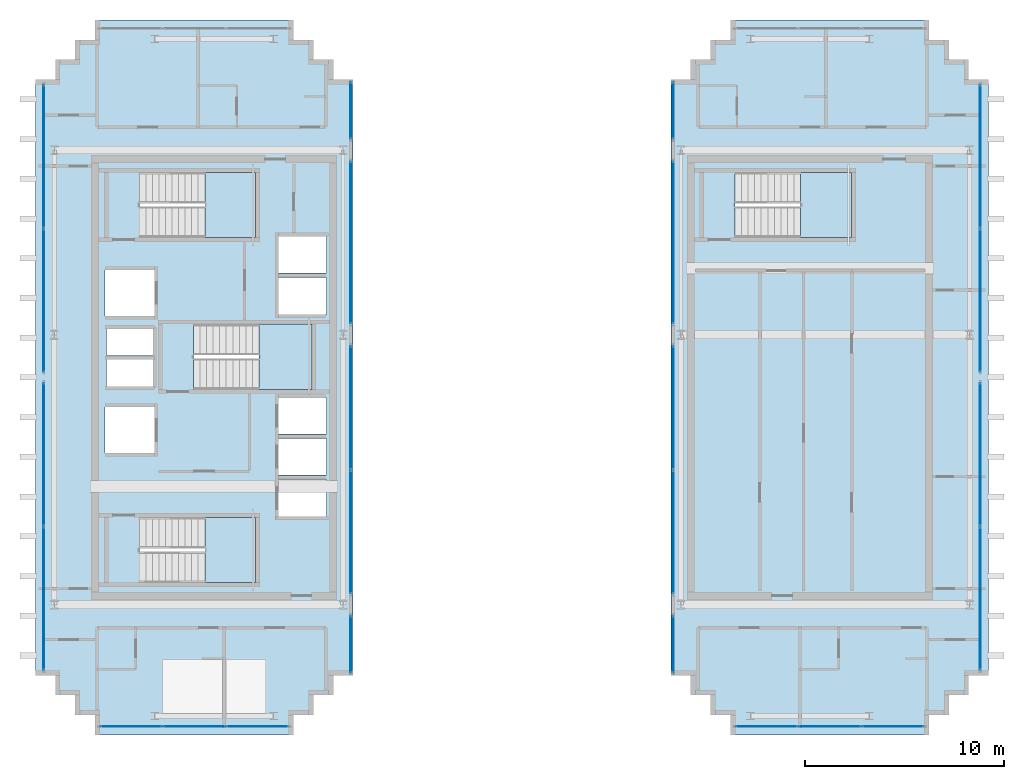
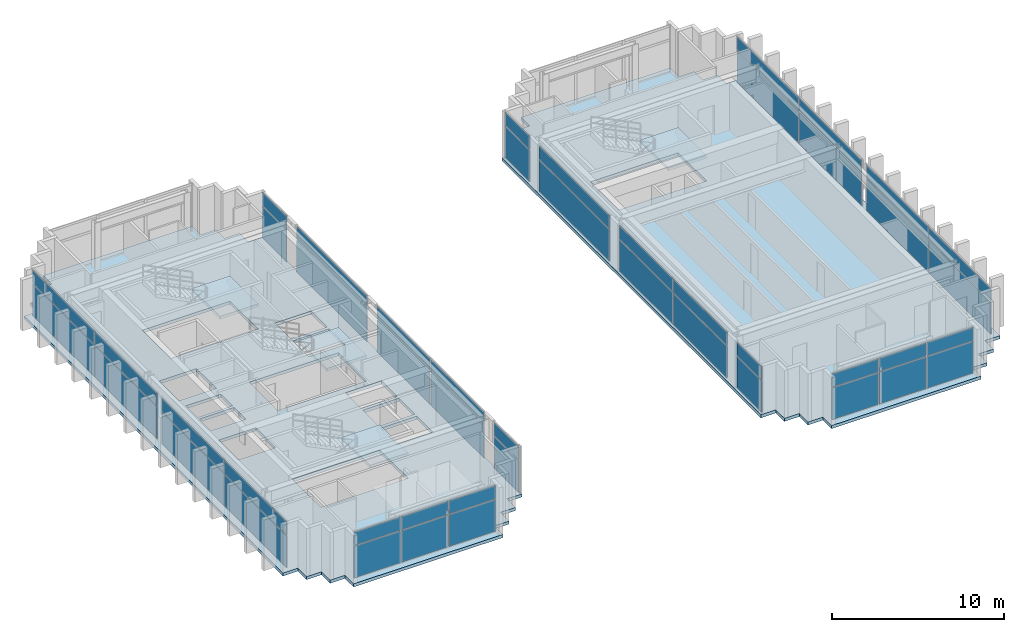
# One storey, part 18 of 25: 48 plates, 6 slabs, 18 elements without a shape of their own.
"""IFC4 building model written with IfcOpenShell, lengths in metres."""

from ifc_helpers import new_model, si_unit, direction, frame, origin, origin_2d, place, context, subcontext, project, spatial, polyline, rectangle, outline, extrude, source, transform, mapped, material, layer, layer_set, type_object, element, aggregate, save


model = new_model("IFC4")

# Units and contexts
model_context = context("Model", 3, precision=1e-05, world=origin(), true_north=direction((0.0, 1.0)))
body_context = subcontext(model_context, "Body", "Model", "MODEL_VIEW")
ifc_project = project(units=[si_unit("LENGTHUNIT", "METRE"), si_unit("AREAUNIT", "SQUARE_METRE"), si_unit("VOLUMEUNIT", "CUBIC_METRE"), si_unit("PLANEANGLEUNIT", "RADIAN"), si_unit("MASSUNIT", "GRAM", prefix="KILO")], contexts=[model_context])

# Site, building, storey
site_placement = place(None, origin())
site = spatial("IfcSite", under=ifc_project, at=site_placement, CompositionType="ELEMENT")
building_placement = place(site_placement, origin())
building = spatial("IfcBuilding", under=site, at=building_placement, Name="Ocotamira Hotel", CompositionType="ELEMENT")
storey_placement = place(building_placement, frame((0.0, 0.0, 258.0)))
storey = spatial("IfcBuildingStorey", under=building, at=storey_placement, Name="L65", CompositionType="ELEMENT", Elevation=258.0)

# Stair, slab
ifc_material_1 = material(Name="Concrete C40/50", Category="concrete")
stair_type = type_object("IfcStairType", Name="ST-CORE-1560", PredefinedType="HALF_TURN_STAIR", material=ifc_material_1)
stair_1_placement = place(storey_placement, origin())
stair_1 = element("IfcStair", 1, at=stair_1_placement, inside=storey, type_object=stair_type, Name="L65 Exit Stair ST-1", PredefinedType="HALF_TURN_STAIR")
ifc_layer_1 = layer(ifc_material_1, 0.199951171875)
ifc_layer_set_1 = layer_set([ifc_layer_1], Name="Concrete C40/50")
slab_type_1 = type_object("IfcSlabType", Name="SLB-LAND-200", PredefinedType="LANDING", material=ifc_layer_set_1)
slab_1_placement = place(storey_placement, frame((0.0, 0.0, 1.60009765625)))
slab_1 = element("IfcSlab", 2, at=slab_1_placement, type_object=slab_type_1, Name="ST-1 landing 1", PredefinedType="LANDING", context=body_context, shape_type="SweptSolid", body=[
    extrude(outline(polyline([(16.530029296875, 15.669921875), (19.090087890625, 15.669921875), (19.090087890625, 18.949951171875), (16.530029296875, 18.949951171875), (16.530029296875, 15.669921875)])), origin(), (0.0, 0.0, 1.0), 0.199951171875),
])
aggregate(stair_1, [slab_1])

stair_2_placement = place(storey_placement, origin())
stair_2 = element("IfcStair", 3, at=stair_2_placement, inside=storey, type_object=stair_type, Name="L65 Exit Stair ST-2", PredefinedType="HALF_TURN_STAIR")
slab_2_placement = place(storey_placement, frame((0.0, 0.0, 1.60009765625)))
slab_2 = element("IfcSlab", 4, at=slab_2_placement, type_object=slab_type_1, Name="ST-2 landing 1", PredefinedType="LANDING", context=body_context, shape_type="SweptSolid", body=[
    extrude(outline(polyline([(16.530029296875, 33.050048828125), (19.090087890625, 33.050048828125), (19.090087890625, 36.330078125), (16.530029296875, 36.330078125), (16.530029296875, 33.050048828125)])), origin(), (0.0, 0.0, 1.0), 0.199951171875),
])
aggregate(stair_2, [slab_2])

stair_3_placement = place(storey_placement, origin())
stair_3 = element("IfcStair", 5, at=stair_3_placement, inside=storey, type_object=stair_type, Name="L65 Exit Stair ST-3", PredefinedType="HALF_TURN_STAIR")
slab_3_placement = place(storey_placement, frame((0.0, 0.0, 1.60009765625)))
slab_3 = element("IfcSlab", 6, at=slab_3_placement, type_object=slab_type_1, Name="ST-3 landing 1", PredefinedType="LANDING", context=body_context, shape_type="SweptSolid", body=[
    extrude(outline(polyline([(19.260009765625, 25.39990234375), (21.919921875, 25.39990234375), (21.919921875, 28.679931640625), (19.260009765625, 28.679931640625), (19.260009765625, 25.39990234375)])), origin(), (0.0, 0.0, 1.0), 0.199951171875),
])
aggregate(stair_3, [slab_3])

stair_4_placement = place(storey_placement, origin())
stair_4 = element("IfcStair", 7, at=stair_4_placement, inside=storey, type_object=stair_type, Name="L65 Exit Stair ST-4", PredefinedType="HALF_TURN_STAIR")
slab_4_placement = place(storey_placement, frame((0.0, 0.0, 1.60009765625)))
slab_4 = element("IfcSlab", 8, at=slab_4_placement, type_object=slab_type_1, Name="ST-4 landing 1", PredefinedType="LANDING", context=body_context, shape_type="SweptSolid", body=[
    extrude(outline(polyline([(46.530029296875, 33.050048828125), (49.090087890625, 33.050048828125), (49.090087890625, 36.330078125), (46.530029296875, 36.330078125), (46.530029296875, 33.050048828125)])), origin(), (0.0, 0.0, 1.0), 0.199951171875),
])
aggregate(stair_4, [slab_4])

# Slabs
ifc_layer_2 = layer(ifc_material_1, 0.219970703125)
ifc_layer_set_2 = layer_set([ifc_layer_2], Name="Concrete C40/50")
slab_type_2 = type_object("IfcSlabType", Name="SLB-UPP-220", PredefinedType="FLOOR", material=ifc_layer_set_2)
slab_5_placement = place(storey_placement, frame((0.0, 0.0, -0.219970703125)))
element("IfcSlab", 9, at=slab_5_placement, inside=storey, type_object=slab_type_2, Name="L65 Structural Floor Slab-P1", PredefinedType="FLOOR", context=body_context, shape_type="SweptSolid", body=[
    extrude(outline(polyline([(11.0, 8.0), (21.0, 8.0), (21.0, 9.0), (22.0, 9.0), (22.0, 10.0), (23.0, 10.0), (23.0, 11.0), (24.0, 11.0), (24.0, 41.0), (23.0, 41.0), (23.0, 42.0), (22.0, 42.0), (22.0, 43.0), (21.0, 43.0), (21.0, 44.0), (11.0, 44.0), (11.0, 43.0), (10.0, 43.0), (10.0, 42.0), (9.0, 42.0), (9.0, 41.0), (8.0, 41.0), (8.0, 11.0), (9.0, 11.0), (9.0, 10.0), (10.0, 10.0), (10.0, 9.0), (11.0, 9.0), (11.0, 8.0)]), holes=[polyline([(13.22998046875, 15.669921875), (19.090087890625, 15.669921875), (19.090087890625, 18.949951171875), (13.22998046875, 18.949951171875), (13.22998046875, 15.669921875)]), polyline([(13.22998046875, 33.050048828125), (19.090087890625, 33.050048828125), (19.090087890625, 36.330078125), (13.22998046875, 36.330078125), (13.22998046875, 33.050048828125)]), polyline([(15.9599609375, 25.39990234375), (21.919921875, 25.39990234375), (21.919921875, 28.679931640625), (15.9599609375, 28.679931640625), (15.9599609375, 25.39990234375)]), polyline([(20.25, 19.0), (22.659912109375, 19.0), (22.659912109375, 20.85009765625), (20.25, 20.85009765625), (20.25, 19.0)]), polyline([(20.25, 21.080078125), (22.659912109375, 21.080078125), (22.659912109375, 22.929931640625), (20.25, 22.929931640625), (20.25, 21.080078125)]), polyline([(20.25, 23.159912109375), (22.659912109375, 23.159912109375), (22.659912109375, 24.9599609375), (20.25, 24.9599609375), (20.25, 23.159912109375)]), polyline([(20.25, 29.179931640625), (22.659912109375, 29.179931640625), (22.659912109375, 31.030029296875), (20.25, 31.030029296875), (20.25, 29.179931640625)]), polyline([(20.25, 31.260009765625), (22.659912109375, 31.260009765625), (22.659912109375, 33.110107421875), (20.25, 33.110107421875), (20.25, 31.260009765625)]), polyline([(11.5, 22.199951171875), (14.0, 22.199951171875), (14.0, 24.5), (11.5, 24.5), (11.5, 22.199951171875)]), polyline([(11.5, 29.10009765625), (14.0, 29.10009765625), (14.0, 31.39990234375), (11.5, 31.39990234375), (11.5, 29.10009765625)]), polyline([(11.580078125, 25.550048828125), (13.919921875, 25.550048828125), (13.919921875, 26.89990234375), (11.580078125, 26.89990234375), (11.580078125, 25.550048828125)]), polyline([(11.580078125, 27.10009765625), (13.919921875, 27.10009765625), (13.919921875, 28.449951171875), (11.580078125, 28.449951171875), (11.580078125, 27.10009765625)])]), origin(), (0.0, 0.0, 1.0), 0.219970703125),
])
slab_6_placement = place(storey_placement, frame((0.0, 0.0, -0.219970703125)))
element("IfcSlab", 10, at=slab_6_placement, inside=storey, type_object=slab_type_2, Name="L65 Structural Floor Slab-P2", PredefinedType="FLOOR", context=body_context, shape_type="SweptSolid", body=[
    extrude(outline(polyline([(43.0, 8.0), (53.0, 8.0), (53.0, 9.0), (54.0, 9.0), (54.0, 10.0), (55.0, 10.0), (55.0, 11.0), (56.0, 11.0), (56.0, 41.0), (55.0, 41.0), (55.0, 42.0), (54.0, 42.0), (54.0, 43.0), (53.0, 43.0), (53.0, 44.0), (43.0, 44.0), (43.0, 43.0), (42.0, 43.0), (42.0, 42.0), (41.0, 42.0), (41.0, 41.0), (40.0, 41.0), (40.0, 11.0), (41.0, 11.0), (41.0, 10.0), (42.0, 10.0), (42.0, 9.0), (43.0, 9.0), (43.0, 8.0)]), holes=[polyline([(43.22998046875, 33.050048828125), (49.090087890625, 33.050048828125), (49.090087890625, 36.330078125), (43.22998046875, 36.330078125), (43.22998046875, 33.050048828125)])]), origin(), (0.0, 0.0, 1.0), 0.219970703125),
])

# Curtain wall, plates
ifc_material_2 = material(Name="Anodised pale-metal aluminium and solar glass", Category="aluminium")
ifc_layer_3 = layer(ifc_material_2, 0.2099609375)
ifc_layer_set_3 = layer_set([ifc_layer_3], Name="Anodised pale-metal aluminium and solar glass")
curtain_wall_type = type_object("IfcCurtainWallType", Name="CW-SYS7-PEAK", PredefinedType="NOTDEFINED", material=ifc_layer_set_3)
curtain_wall_1_placement = place(storey_placement, origin())
curtain_wall_1 = element("IfcCurtainWall", 11, at=curtain_wall_1_placement, inside=storey, type_object=curtain_wall_type, Name="L65 Curtain Wall CW-7 CW-L65-WS", PredefinedType="NOTDEFINED")
ifc_material_3 = material(Name="Double-silver low-E insulated solar glass", Category="glass")
ifc_layer_4 = layer(ifc_material_3, 0.031982421875)
ifc_layer_set_4 = layer_set([ifc_layer_4], Name="Double-silver low-E insulated solar glass")
plate_type = type_object("IfcPlateType", Name="CWP-VISION-32", PredefinedType="CURTAIN_PANEL", material=ifc_layer_set_4)
shared_shape_1 = source(origin(), body_context, "Body", "SweptSolid", [
    extrude(rectangle(XDim=3.080078125, YDim=0.031982421875, at=origin_2d()), origin(), (0.0, 0.0, 1.0), 2.237548828125),
])
plate_1_placement = place(storey_placement, frame((12.820068359375, 8.419921875, 0.0751953125), z_axis=(0.0, 0.0, 1.0), x_axis=(1.0, 0.0, 0.0)))
plate_1 = element("IfcPlate", 12, at=plate_1_placement, type_object=plate_type, Name="CW-7 panel 1.1", PredefinedType="CURTAIN_PANEL", context=body_context, shape_type="MappedRepresentation", body=[
    mapped(shared_shape_1, transform((0.0, 0.0, 0.0), scale=1.0)),
])
plate_2_placement = place(storey_placement, frame((19.179931640625, 8.419921875, 0.0751953125), z_axis=(0.0, 0.0, 1.0), x_axis=(1.0, 0.0, 0.0)))
plate_2 = element("IfcPlate", 13, at=plate_2_placement, type_object=plate_type, Name="CW-7 panel 3.1", PredefinedType="CURTAIN_PANEL", context=body_context, shape_type="MappedRepresentation", body=[
    mapped(shared_shape_1, transform((0.0, 0.0, 0.0), scale=1.0)),
])

curtain_wall_2_placement = place(storey_placement, origin())
curtain_wall_2 = element("IfcCurtainWall", 14, at=curtain_wall_2_placement, inside=storey, type_object=curtain_wall_type, Name="L65 Curtain Wall CW-7 CW-L65-ES", PredefinedType="NOTDEFINED")
plate_3_placement = place(storey_placement, frame((44.820068359375, 8.419921875, 0.0751953125), z_axis=(0.0, 0.0, 1.0), x_axis=(1.0, 0.0, 0.0)))
plate_3 = element("IfcPlate", 15, at=plate_3_placement, type_object=plate_type, Name="CW-7 panel 1.1", PredefinedType="CURTAIN_PANEL", context=body_context, shape_type="MappedRepresentation", body=[
    mapped(shared_shape_1, transform((0.0, 0.0, 0.0), scale=1.0)),
])
plate_4_placement = place(storey_placement, frame((51.179931640625, 8.419921875, 0.0751953125), z_axis=(0.0, 0.0, 1.0), x_axis=(1.0, 0.0, 0.0)))
plate_4 = element("IfcPlate", 16, at=plate_4_placement, type_object=plate_type, Name="CW-7 panel 3.1", PredefinedType="CURTAIN_PANEL", context=body_context, shape_type="MappedRepresentation", body=[
    mapped(shared_shape_1, transform((0.0, 0.0, 0.0), scale=1.0)),
])

# Plate
shared_shape_2 = source(origin(), body_context, "Body", "SweptSolid", [
    extrude(rectangle(XDim=3.080078125, YDim=0.031982421875, at=origin_2d()), origin(), (0.0, 0.0, 1.0), 0.91748046875),
])
plate_5_placement = place(storey_placement, frame((12.820068359375, 8.419921875, 2.387451171875), z_axis=(0.0, 0.0, 1.0), x_axis=(1.0, 0.0, 0.0)))
plate_5 = element("IfcPlate", 17, at=plate_5_placement, type_object=plate_type, Name="CW-7 panel 1.2", PredefinedType="CURTAIN_PANEL", context=body_context, shape_type="MappedRepresentation", body=[
    mapped(shared_shape_2, transform((0.0, 0.0, 0.0), scale=1.0)),
])

plate_6_placement = place(storey_placement, frame((19.179931640625, 8.419921875, 2.387451171875), z_axis=(0.0, 0.0, 1.0), x_axis=(1.0, 0.0, 0.0)))
plate_6 = element("IfcPlate", 18, at=plate_6_placement, type_object=plate_type, Name="CW-7 panel 3.2", PredefinedType="CURTAIN_PANEL", context=body_context, shape_type="MappedRepresentation", body=[
    mapped(shared_shape_2, transform((0.0, 0.0, 0.0), scale=1.0)),
])

plate_7_placement = place(storey_placement, frame((44.820068359375, 8.419921875, 2.387451171875), z_axis=(0.0, 0.0, 1.0), x_axis=(1.0, 0.0, 0.0)))
plate_7 = element("IfcPlate", 19, at=plate_7_placement, type_object=plate_type, Name="CW-7 panel 1.2", PredefinedType="CURTAIN_PANEL", context=body_context, shape_type="MappedRepresentation", body=[
    mapped(shared_shape_2, transform((0.0, 0.0, 0.0), scale=1.0)),
])

plate_8_placement = place(storey_placement, frame((51.179931640625, 8.419921875, 2.387451171875), z_axis=(0.0, 0.0, 1.0), x_axis=(1.0, 0.0, 0.0)))
plate_8 = element("IfcPlate", 20, at=plate_8_placement, type_object=plate_type, Name="CW-7 panel 3.2", PredefinedType="CURTAIN_PANEL", context=body_context, shape_type="MappedRepresentation", body=[
    mapped(shared_shape_2, transform((0.0, 0.0, 0.0), scale=1.0)),
])

shared_shape_3 = source(origin(), body_context, "Body", "SweptSolid", [
    extrude(rectangle(XDim=3.1201171875, YDim=0.031982421875, at=origin_2d()), origin(), (0.0, 0.0, 1.0), 2.237548828125),
])
plate_9_placement = place(storey_placement, frame((16.0, 8.419921875, 0.0751953125), z_axis=(0.0, 0.0, 1.0), x_axis=(1.0, 0.0, 0.0)))
plate_9 = element("IfcPlate", 21, at=plate_9_placement, type_object=plate_type, Name="CW-7 panel 2.1", PredefinedType="CURTAIN_PANEL", context=body_context, shape_type="MappedRepresentation", body=[
    mapped(shared_shape_3, transform((0.0, 0.0, 0.0), scale=1.0)),
])

plate_10_placement = place(storey_placement, frame((48.0, 8.419921875, 0.0751953125), z_axis=(0.0, 0.0, 1.0), x_axis=(1.0, 0.0, 0.0)))
plate_10 = element("IfcPlate", 22, at=plate_10_placement, type_object=plate_type, Name="CW-7 panel 2.1", PredefinedType="CURTAIN_PANEL", context=body_context, shape_type="MappedRepresentation", body=[
    mapped(shared_shape_3, transform((0.0, 0.0, 0.0), scale=1.0)),
])

shared_shape_4 = source(origin(), body_context, "Body", "SweptSolid", [
    extrude(rectangle(XDim=3.1201171875, YDim=0.031982421875, at=origin_2d()), origin(), (0.0, 0.0, 1.0), 0.91748046875),
])
plate_11_placement = place(storey_placement, frame((16.0, 8.419921875, 2.387451171875), z_axis=(0.0, 0.0, 1.0), x_axis=(1.0, 0.0, 0.0)))
plate_11 = element("IfcPlate", 23, at=plate_11_placement, type_object=plate_type, Name="CW-7 panel 2.2", PredefinedType="CURTAIN_PANEL", context=body_context, shape_type="MappedRepresentation", body=[
    mapped(shared_shape_4, transform((0.0, 0.0, 0.0), scale=1.0)),
])

aggregate(curtain_wall_1, [plate_1, plate_5, plate_9, plate_11, plate_2, plate_6])

plate_12_placement = place(storey_placement, frame((48.0, 8.419921875, 2.387451171875), z_axis=(0.0, 0.0, 1.0), x_axis=(1.0, 0.0, 0.0)))
plate_12 = element("IfcPlate", 24, at=plate_12_placement, type_object=plate_type, Name="CW-7 panel 2.2", PredefinedType="CURTAIN_PANEL", context=body_context, shape_type="MappedRepresentation", body=[
    mapped(shared_shape_4, transform((0.0, 0.0, 0.0), scale=1.0)),
])

aggregate(curtain_wall_2, [plate_3, plate_7, plate_10, plate_12, plate_4, plate_8])

# Curtain wall, plates
curtain_wall_3_placement = place(storey_placement, origin())
curtain_wall_3 = element("IfcCurtainWall", 25, at=curtain_wall_3_placement, inside=storey, type_object=curtain_wall_type, Name="L65 Curtain Wall CW-7 CW-L65-WO1", PredefinedType="NOTDEFINED")
shared_shape_5 = source(origin(), body_context, "Body", "SweptSolid", [
    extrude(rectangle(XDim=7.179931640625, YDim=0.031982421875, at=origin_2d()), origin(), (0.0, 0.0, 1.0), 2.237548828125),
])
plate_13_placement = place(storey_placement, frame((8.419921875, 14.8701171875, 0.0751953125), z_axis=(0.0, 0.0, 1.0), x_axis=(0.0, 1.0, 0.0)))
plate_13 = element("IfcPlate", 26, at=plate_13_placement, type_object=plate_type, Name="CW-7 panel 1.1", PredefinedType="CURTAIN_PANEL", context=body_context, shape_type="MappedRepresentation", body=[
    mapped(shared_shape_5, transform((0.0, 0.0, 0.0), scale=1.0)),
])
plate_14_placement = place(storey_placement, frame((8.419921875, 22.1298828125, 0.0751953125), z_axis=(0.0, 0.0, 1.0), x_axis=(0.0, 1.0, 0.0)))
plate_14 = element("IfcPlate", 27, at=plate_14_placement, type_object=plate_type, Name="CW-7 panel 2.1", PredefinedType="CURTAIN_PANEL", context=body_context, shape_type="MappedRepresentation", body=[
    mapped(shared_shape_5, transform((0.0, 0.0, 0.0), scale=1.0)),
])

curtain_wall_4_placement = place(storey_placement, origin())
curtain_wall_4 = element("IfcCurtainWall", 28, at=curtain_wall_4_placement, inside=storey, type_object=curtain_wall_type, Name="L65 Curtain Wall CW-7 CW-L65-WO2", PredefinedType="NOTDEFINED")
plate_15_placement = place(storey_placement, frame((8.419921875, 29.8701171875, 0.0751953125), z_axis=(0.0, 0.0, 1.0), x_axis=(0.0, 1.0, 0.0)))
plate_15 = element("IfcPlate", 29, at=plate_15_placement, type_object=plate_type, Name="CW-7 panel 1.1", PredefinedType="CURTAIN_PANEL", context=body_context, shape_type="MappedRepresentation", body=[
    mapped(shared_shape_5, transform((0.0, 0.0, 0.0), scale=1.0)),
])
plate_16_placement = place(storey_placement, frame((8.419921875, 37.1298828125, 0.0751953125), z_axis=(0.0, 0.0, 1.0), x_axis=(0.0, 1.0, 0.0)))
plate_16 = element("IfcPlate", 30, at=plate_16_placement, type_object=plate_type, Name="CW-7 panel 2.1", PredefinedType="CURTAIN_PANEL", context=body_context, shape_type="MappedRepresentation", body=[
    mapped(shared_shape_5, transform((0.0, 0.0, 0.0), scale=1.0)),
])

curtain_wall_5_placement = place(storey_placement, origin())
curtain_wall_5 = element("IfcCurtainWall", 31, at=curtain_wall_5_placement, inside=storey, type_object=curtain_wall_type, Name="L65 Curtain Wall CW-7 CW-L65-EO1", PredefinedType="NOTDEFINED")
plate_17_placement = place(storey_placement, frame((55.580078125, 14.8701171875, 0.0751953125), z_axis=(0.0, 0.0, 1.0), x_axis=(0.0, 1.0, 0.0)))
plate_17 = element("IfcPlate", 32, at=plate_17_placement, type_object=plate_type, Name="CW-7 panel 1.1", PredefinedType="CURTAIN_PANEL", context=body_context, shape_type="MappedRepresentation", body=[
    mapped(shared_shape_5, transform((0.0, 0.0, 0.0), scale=1.0)),
])
plate_18_placement = place(storey_placement, frame((55.580078125, 22.1298828125, 0.0751953125), z_axis=(0.0, 0.0, 1.0), x_axis=(0.0, 1.0, 0.0)))
plate_18 = element("IfcPlate", 33, at=plate_18_placement, type_object=plate_type, Name="CW-7 panel 2.1", PredefinedType="CURTAIN_PANEL", context=body_context, shape_type="MappedRepresentation", body=[
    mapped(shared_shape_5, transform((0.0, 0.0, 0.0), scale=1.0)),
])

curtain_wall_6_placement = place(storey_placement, origin())
curtain_wall_6 = element("IfcCurtainWall", 34, at=curtain_wall_6_placement, inside=storey, type_object=curtain_wall_type, Name="L65 Curtain Wall CW-7 CW-L65-EO2", PredefinedType="NOTDEFINED")
plate_19_placement = place(storey_placement, frame((55.580078125, 29.8701171875, 0.0751953125), z_axis=(0.0, 0.0, 1.0), x_axis=(0.0, 1.0, 0.0)))
plate_19 = element("IfcPlate", 35, at=plate_19_placement, type_object=plate_type, Name="CW-7 panel 1.1", PredefinedType="CURTAIN_PANEL", context=body_context, shape_type="MappedRepresentation", body=[
    mapped(shared_shape_5, transform((0.0, 0.0, 0.0), scale=1.0)),
])
plate_20_placement = place(storey_placement, frame((55.580078125, 37.1298828125, 0.0751953125), z_axis=(0.0, 0.0, 1.0), x_axis=(0.0, 1.0, 0.0)))
plate_20 = element("IfcPlate", 36, at=plate_20_placement, type_object=plate_type, Name="CW-7 panel 2.1", PredefinedType="CURTAIN_PANEL", context=body_context, shape_type="MappedRepresentation", body=[
    mapped(shared_shape_5, transform((0.0, 0.0, 0.0), scale=1.0)),
])

# Plate
shared_shape_6 = source(origin(), body_context, "Body", "SweptSolid", [
    extrude(rectangle(XDim=7.179931640625, YDim=0.031982421875, at=origin_2d()), origin(), (0.0, 0.0, 1.0), 0.91748046875),
])
plate_21_placement = place(storey_placement, frame((8.419921875, 14.8701171875, 2.387451171875), z_axis=(0.0, 0.0, 1.0), x_axis=(0.0, 1.0, 0.0)))
plate_21 = element("IfcPlate", 37, at=plate_21_placement, type_object=plate_type, Name="CW-7 panel 1.2", PredefinedType="CURTAIN_PANEL", context=body_context, shape_type="MappedRepresentation", body=[
    mapped(shared_shape_6, transform((0.0, 0.0, 0.0), scale=1.0)),
])

plate_22_placement = place(storey_placement, frame((8.419921875, 22.1298828125, 2.387451171875), z_axis=(0.0, 0.0, 1.0), x_axis=(0.0, 1.0, 0.0)))
plate_22 = element("IfcPlate", 38, at=plate_22_placement, type_object=plate_type, Name="CW-7 panel 2.2", PredefinedType="CURTAIN_PANEL", context=body_context, shape_type="MappedRepresentation", body=[
    mapped(shared_shape_6, transform((0.0, 0.0, 0.0), scale=1.0)),
])

aggregate(curtain_wall_3, [plate_13, plate_21, plate_14, plate_22])

plate_23_placement = place(storey_placement, frame((8.419921875, 29.8701171875, 2.387451171875), z_axis=(0.0, 0.0, 1.0), x_axis=(0.0, 1.0, 0.0)))
plate_23 = element("IfcPlate", 39, at=plate_23_placement, type_object=plate_type, Name="CW-7 panel 1.2", PredefinedType="CURTAIN_PANEL", context=body_context, shape_type="MappedRepresentation", body=[
    mapped(shared_shape_6, transform((0.0, 0.0, 0.0), scale=1.0)),
])

plate_24_placement = place(storey_placement, frame((8.419921875, 37.1298828125, 2.387451171875), z_axis=(0.0, 0.0, 1.0), x_axis=(0.0, 1.0, 0.0)))
plate_24 = element("IfcPlate", 40, at=plate_24_placement, type_object=plate_type, Name="CW-7 panel 2.2", PredefinedType="CURTAIN_PANEL", context=body_context, shape_type="MappedRepresentation", body=[
    mapped(shared_shape_6, transform((0.0, 0.0, 0.0), scale=1.0)),
])

aggregate(curtain_wall_4, [plate_15, plate_23, plate_16, plate_24])

plate_25_placement = place(storey_placement, frame((55.580078125, 14.8701171875, 2.387451171875), z_axis=(0.0, 0.0, 1.0), x_axis=(0.0, 1.0, 0.0)))
plate_25 = element("IfcPlate", 41, at=plate_25_placement, type_object=plate_type, Name="CW-7 panel 1.2", PredefinedType="CURTAIN_PANEL", context=body_context, shape_type="MappedRepresentation", body=[
    mapped(shared_shape_6, transform((0.0, 0.0, 0.0), scale=1.0)),
])

plate_26_placement = place(storey_placement, frame((55.580078125, 22.1298828125, 2.387451171875), z_axis=(0.0, 0.0, 1.0), x_axis=(0.0, 1.0, 0.0)))
plate_26 = element("IfcPlate", 42, at=plate_26_placement, type_object=plate_type, Name="CW-7 panel 2.2", PredefinedType="CURTAIN_PANEL", context=body_context, shape_type="MappedRepresentation", body=[
    mapped(shared_shape_6, transform((0.0, 0.0, 0.0), scale=1.0)),
])

aggregate(curtain_wall_5, [plate_17, plate_25, plate_18, plate_26])

plate_27_placement = place(storey_placement, frame((55.580078125, 29.8701171875, 2.387451171875), z_axis=(0.0, 0.0, 1.0), x_axis=(0.0, 1.0, 0.0)))
plate_27 = element("IfcPlate", 43, at=plate_27_placement, type_object=plate_type, Name="CW-7 panel 1.2", PredefinedType="CURTAIN_PANEL", context=body_context, shape_type="MappedRepresentation", body=[
    mapped(shared_shape_6, transform((0.0, 0.0, 0.0), scale=1.0)),
])

plate_28_placement = place(storey_placement, frame((55.580078125, 37.1298828125, 2.387451171875), z_axis=(0.0, 0.0, 1.0), x_axis=(0.0, 1.0, 0.0)))
plate_28 = element("IfcPlate", 44, at=plate_28_placement, type_object=plate_type, Name="CW-7 panel 2.2", PredefinedType="CURTAIN_PANEL", context=body_context, shape_type="MappedRepresentation", body=[
    mapped(shared_shape_6, transform((0.0, 0.0, 0.0), scale=1.0)),
])

aggregate(curtain_wall_6, [plate_19, plate_27, plate_20, plate_28])

# Curtain wall, plate
curtain_wall_7_placement = place(storey_placement, origin())
curtain_wall_7 = element("IfcCurtainWall", 45, at=curtain_wall_7_placement, inside=storey, type_object=curtain_wall_type, Name="L65 Curtain Wall CW-7 CW-L65-WI1", PredefinedType="NOTDEFINED")
shared_shape_7 = source(origin(), body_context, "Body", "SweptSolid", [
    extrude(rectangle(XDim=2.840087890625, YDim=0.031982421875, at=origin_2d()), origin(), (0.0, 0.0, 1.0), 2.237548828125),
])
plate_29_placement = place(storey_placement, frame((23.8798828125, 12.550048828125, 0.0751953125), z_axis=(0.0, 0.0, 1.0), x_axis=(0.0, 1.0, 0.0)))
plate_29 = element("IfcPlate", 46, at=plate_29_placement, type_object=plate_type, Name="CW-7 panel 1.1", PredefinedType="CURTAIN_PANEL", context=body_context, shape_type="MappedRepresentation", body=[
    mapped(shared_shape_7, transform((0.0, 0.0, 0.0), scale=1.0)),
])

curtain_wall_8_placement = place(storey_placement, origin())
curtain_wall_8 = element("IfcCurtainWall", 47, at=curtain_wall_8_placement, inside=storey, type_object=curtain_wall_type, Name="L65 Curtain Wall CW-7 CW-L65-WI4", PredefinedType="NOTDEFINED")
plate_30_placement = place(storey_placement, frame((23.8798828125, 39.449951171875, 0.0751953125), z_axis=(0.0, 0.0, 1.0), x_axis=(0.0, 1.0, 0.0)))
plate_30 = element("IfcPlate", 48, at=plate_30_placement, type_object=plate_type, Name="CW-7 panel 1.1", PredefinedType="CURTAIN_PANEL", context=body_context, shape_type="MappedRepresentation", body=[
    mapped(shared_shape_7, transform((0.0, 0.0, 0.0), scale=1.0)),
])

curtain_wall_9_placement = place(storey_placement, origin())
curtain_wall_9 = element("IfcCurtainWall", 49, at=curtain_wall_9_placement, inside=storey, type_object=curtain_wall_type, Name="L65 Curtain Wall CW-7 CW-L65-EI1", PredefinedType="NOTDEFINED")
plate_31_placement = place(storey_placement, frame((40.1201171875, 12.550048828125, 0.0751953125), z_axis=(0.0, 0.0, 1.0), x_axis=(0.0, 1.0, 0.0)))
plate_31 = element("IfcPlate", 50, at=plate_31_placement, type_object=plate_type, Name="CW-7 panel 1.1", PredefinedType="CURTAIN_PANEL", context=body_context, shape_type="MappedRepresentation", body=[
    mapped(shared_shape_7, transform((0.0, 0.0, 0.0), scale=1.0)),
])

curtain_wall_10_placement = place(storey_placement, origin())
curtain_wall_10 = element("IfcCurtainWall", 51, at=curtain_wall_10_placement, inside=storey, type_object=curtain_wall_type, Name="L65 Curtain Wall CW-7 CW-L65-EI4", PredefinedType="NOTDEFINED")
plate_32_placement = place(storey_placement, frame((40.1201171875, 39.449951171875, 0.0751953125), z_axis=(0.0, 0.0, 1.0), x_axis=(0.0, 1.0, 0.0)))
plate_32 = element("IfcPlate", 52, at=plate_32_placement, type_object=plate_type, Name="CW-7 panel 1.1", PredefinedType="CURTAIN_PANEL", context=body_context, shape_type="MappedRepresentation", body=[
    mapped(shared_shape_7, transform((0.0, 0.0, 0.0), scale=1.0)),
])

# Plate
shared_shape_8 = source(origin(), body_context, "Body", "SweptSolid", [
    extrude(rectangle(XDim=2.840087890625, YDim=0.031982421875, at=origin_2d()), origin(), (0.0, 0.0, 1.0), 0.91748046875),
])
plate_33_placement = place(storey_placement, frame((23.8798828125, 12.550048828125, 2.387451171875), z_axis=(0.0, 0.0, 1.0), x_axis=(0.0, 1.0, 0.0)))
plate_33 = element("IfcPlate", 53, at=plate_33_placement, type_object=plate_type, Name="CW-7 panel 1.2", PredefinedType="CURTAIN_PANEL", context=body_context, shape_type="MappedRepresentation", body=[
    mapped(shared_shape_8, transform((0.0, 0.0, 0.0), scale=1.0)),
])

aggregate(curtain_wall_7, [plate_29, plate_33])

plate_34_placement = place(storey_placement, frame((23.8798828125, 39.449951171875, 2.387451171875), z_axis=(0.0, 0.0, 1.0), x_axis=(0.0, 1.0, 0.0)))
plate_34 = element("IfcPlate", 54, at=plate_34_placement, type_object=plate_type, Name="CW-7 panel 1.2", PredefinedType="CURTAIN_PANEL", context=body_context, shape_type="MappedRepresentation", body=[
    mapped(shared_shape_8, transform((0.0, 0.0, 0.0), scale=1.0)),
])

aggregate(curtain_wall_8, [plate_30, plate_34])

plate_35_placement = place(storey_placement, frame((40.1201171875, 12.550048828125, 2.387451171875), z_axis=(0.0, 0.0, 1.0), x_axis=(0.0, 1.0, 0.0)))
plate_35 = element("IfcPlate", 55, at=plate_35_placement, type_object=plate_type, Name="CW-7 panel 1.2", PredefinedType="CURTAIN_PANEL", context=body_context, shape_type="MappedRepresentation", body=[
    mapped(shared_shape_8, transform((0.0, 0.0, 0.0), scale=1.0)),
])

aggregate(curtain_wall_9, [plate_31, plate_35])

plate_36_placement = place(storey_placement, frame((40.1201171875, 39.449951171875, 2.387451171875), z_axis=(0.0, 0.0, 1.0), x_axis=(0.0, 1.0, 0.0)))
plate_36 = element("IfcPlate", 56, at=plate_36_placement, type_object=plate_type, Name="CW-7 panel 1.2", PredefinedType="CURTAIN_PANEL", context=body_context, shape_type="MappedRepresentation", body=[
    mapped(shared_shape_8, transform((0.0, 0.0, 0.0), scale=1.0)),
])

aggregate(curtain_wall_10, [plate_32, plate_36])

# Curtain wall, plates
curtain_wall_11_placement = place(storey_placement, origin())
curtain_wall_11 = element("IfcCurtainWall", 57, at=curtain_wall_11_placement, inside=storey, type_object=curtain_wall_type, Name="L65 Curtain Wall CW-7 CW-L65-WI2", PredefinedType="NOTDEFINED")
shared_shape_9 = source(origin(), body_context, "Body", "SweptSolid", [
    extrude(rectangle(XDim=6.179931640625, YDim=0.031982421875, at=origin_2d()), origin(), (0.0, 0.0, 1.0), 2.237548828125),
])
plate_37_placement = place(storey_placement, frame((23.8798828125, 18.219970703125, 0.0751953125), z_axis=(0.0, 0.0, 1.0), x_axis=(0.0, 1.0, 0.0)))
plate_37 = element("IfcPlate", 58, at=plate_37_placement, type_object=plate_type, Name="CW-7 panel 1.1", PredefinedType="CURTAIN_PANEL", context=body_context, shape_type="MappedRepresentation", body=[
    mapped(shared_shape_9, transform((0.0, 0.0, 0.0), scale=1.0)),
])
plate_38_placement = place(storey_placement, frame((23.8798828125, 24.47998046875, 0.0751953125), z_axis=(0.0, 0.0, 1.0), x_axis=(0.0, 1.0, 0.0)))
plate_38 = element("IfcPlate", 59, at=plate_38_placement, type_object=plate_type, Name="CW-7 panel 2.1", PredefinedType="CURTAIN_PANEL", context=body_context, shape_type="MappedRepresentation", body=[
    mapped(shared_shape_9, transform((0.0, 0.0, 0.0), scale=1.0)),
])

curtain_wall_12_placement = place(storey_placement, origin())
curtain_wall_12 = element("IfcCurtainWall", 60, at=curtain_wall_12_placement, inside=storey, type_object=curtain_wall_type, Name="L65 Curtain Wall CW-7 CW-L65-EI2", PredefinedType="NOTDEFINED")
plate_39_placement = place(storey_placement, frame((40.1201171875, 18.219970703125, 0.0751953125), z_axis=(0.0, 0.0, 1.0), x_axis=(0.0, 1.0, 0.0)))
plate_39 = element("IfcPlate", 61, at=plate_39_placement, type_object=plate_type, Name="CW-7 panel 1.1", PredefinedType="CURTAIN_PANEL", context=body_context, shape_type="MappedRepresentation", body=[
    mapped(shared_shape_9, transform((0.0, 0.0, 0.0), scale=1.0)),
])
plate_40_placement = place(storey_placement, frame((40.1201171875, 24.47998046875, 0.0751953125), z_axis=(0.0, 0.0, 1.0), x_axis=(0.0, 1.0, 0.0)))
plate_40 = element("IfcPlate", 62, at=plate_40_placement, type_object=plate_type, Name="CW-7 panel 2.1", PredefinedType="CURTAIN_PANEL", context=body_context, shape_type="MappedRepresentation", body=[
    mapped(shared_shape_9, transform((0.0, 0.0, 0.0), scale=1.0)),
])

# Plate
shared_shape_10 = source(origin(), body_context, "Body", "SweptSolid", [
    extrude(rectangle(XDim=6.179931640625, YDim=0.031982421875, at=origin_2d()), origin(), (0.0, 0.0, 1.0), 0.91748046875),
])
plate_41_placement = place(storey_placement, frame((23.8798828125, 18.219970703125, 2.387451171875), z_axis=(0.0, 0.0, 1.0), x_axis=(0.0, 1.0, 0.0)))
plate_41 = element("IfcPlate", 63, at=plate_41_placement, type_object=plate_type, Name="CW-7 panel 1.2", PredefinedType="CURTAIN_PANEL", context=body_context, shape_type="MappedRepresentation", body=[
    mapped(shared_shape_10, transform((0.0, 0.0, 0.0), scale=1.0)),
])

plate_42_placement = place(storey_placement, frame((23.8798828125, 24.47998046875, 2.387451171875), z_axis=(0.0, 0.0, 1.0), x_axis=(0.0, 1.0, 0.0)))
plate_42 = element("IfcPlate", 64, at=plate_42_placement, type_object=plate_type, Name="CW-7 panel 2.2", PredefinedType="CURTAIN_PANEL", context=body_context, shape_type="MappedRepresentation", body=[
    mapped(shared_shape_10, transform((0.0, 0.0, 0.0), scale=1.0)),
])

aggregate(curtain_wall_11, [plate_37, plate_41, plate_38, plate_42])

plate_43_placement = place(storey_placement, frame((40.1201171875, 18.219970703125, 2.387451171875), z_axis=(0.0, 0.0, 1.0), x_axis=(0.0, 1.0, 0.0)))
plate_43 = element("IfcPlate", 65, at=plate_43_placement, type_object=plate_type, Name="CW-7 panel 1.2", PredefinedType="CURTAIN_PANEL", context=body_context, shape_type="MappedRepresentation", body=[
    mapped(shared_shape_10, transform((0.0, 0.0, 0.0), scale=1.0)),
])

plate_44_placement = place(storey_placement, frame((40.1201171875, 24.47998046875, 2.387451171875), z_axis=(0.0, 0.0, 1.0), x_axis=(0.0, 1.0, 0.0)))
plate_44 = element("IfcPlate", 66, at=plate_44_placement, type_object=plate_type, Name="CW-7 panel 2.2", PredefinedType="CURTAIN_PANEL", context=body_context, shape_type="MappedRepresentation", body=[
    mapped(shared_shape_10, transform((0.0, 0.0, 0.0), scale=1.0)),
])

aggregate(curtain_wall_12, [plate_39, plate_43, plate_40, plate_44])

# Curtain wall, plate
curtain_wall_13_placement = place(storey_placement, origin())
curtain_wall_13 = element("IfcCurtainWall", 67, at=curtain_wall_13_placement, inside=storey, type_object=curtain_wall_type, Name="L65 Curtain Wall CW-7 CW-L65-WI3", PredefinedType="NOTDEFINED")
shared_shape_11 = source(origin(), body_context, "Body", "SweptSolid", [
    extrude(rectangle(XDim=8.139892578125, YDim=0.031982421875, at=origin_2d()), origin(), (0.0, 0.0, 1.0), 2.237548828125),
])
plate_45_placement = place(storey_placement, frame((23.8798828125, 32.800048828125, 0.0751953125), z_axis=(0.0, 0.0, 1.0), x_axis=(0.0, 1.0, 0.0)))
plate_45 = element("IfcPlate", 68, at=plate_45_placement, type_object=plate_type, Name="CW-7 panel 1.1", PredefinedType="CURTAIN_PANEL", context=body_context, shape_type="MappedRepresentation", body=[
    mapped(shared_shape_11, transform((0.0, 0.0, 0.0), scale=1.0)),
])

curtain_wall_14_placement = place(storey_placement, origin())
curtain_wall_14 = element("IfcCurtainWall", 69, at=curtain_wall_14_placement, inside=storey, type_object=curtain_wall_type, Name="L65 Curtain Wall CW-7 CW-L65-EI3", PredefinedType="NOTDEFINED")
plate_46_placement = place(storey_placement, frame((40.1201171875, 32.800048828125, 0.0751953125), z_axis=(0.0, 0.0, 1.0), x_axis=(0.0, 1.0, 0.0)))
plate_46 = element("IfcPlate", 70, at=plate_46_placement, type_object=plate_type, Name="CW-7 panel 1.1", PredefinedType="CURTAIN_PANEL", context=body_context, shape_type="MappedRepresentation", body=[
    mapped(shared_shape_11, transform((0.0, 0.0, 0.0), scale=1.0)),
])

# Plate
shared_shape_12 = source(origin(), body_context, "Body", "SweptSolid", [
    extrude(rectangle(XDim=8.139892578125, YDim=0.031982421875, at=origin_2d()), origin(), (0.0, 0.0, 1.0), 0.91748046875),
])
plate_47_placement = place(storey_placement, frame((23.8798828125, 32.800048828125, 2.387451171875), z_axis=(0.0, 0.0, 1.0), x_axis=(0.0, 1.0, 0.0)))
plate_47 = element("IfcPlate", 71, at=plate_47_placement, type_object=plate_type, Name="CW-7 panel 1.2", PredefinedType="CURTAIN_PANEL", context=body_context, shape_type="MappedRepresentation", body=[
    mapped(shared_shape_12, transform((0.0, 0.0, 0.0), scale=1.0)),
])

aggregate(curtain_wall_13, [plate_45, plate_47])

plate_48_placement = place(storey_placement, frame((40.1201171875, 32.800048828125, 2.387451171875), z_axis=(0.0, 0.0, 1.0), x_axis=(0.0, 1.0, 0.0)))
plate_48 = element("IfcPlate", 72, at=plate_48_placement, type_object=plate_type, Name="CW-7 panel 1.2", PredefinedType="CURTAIN_PANEL", context=body_context, shape_type="MappedRepresentation", body=[
    mapped(shared_shape_12, transform((0.0, 0.0, 0.0), scale=1.0)),
])

aggregate(curtain_wall_14, [plate_46, plate_48])

save(model, "model.ifc")
